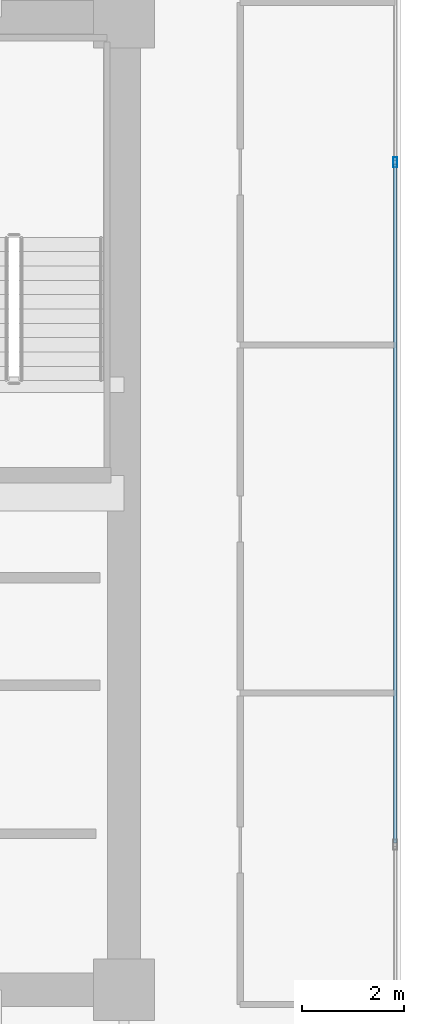
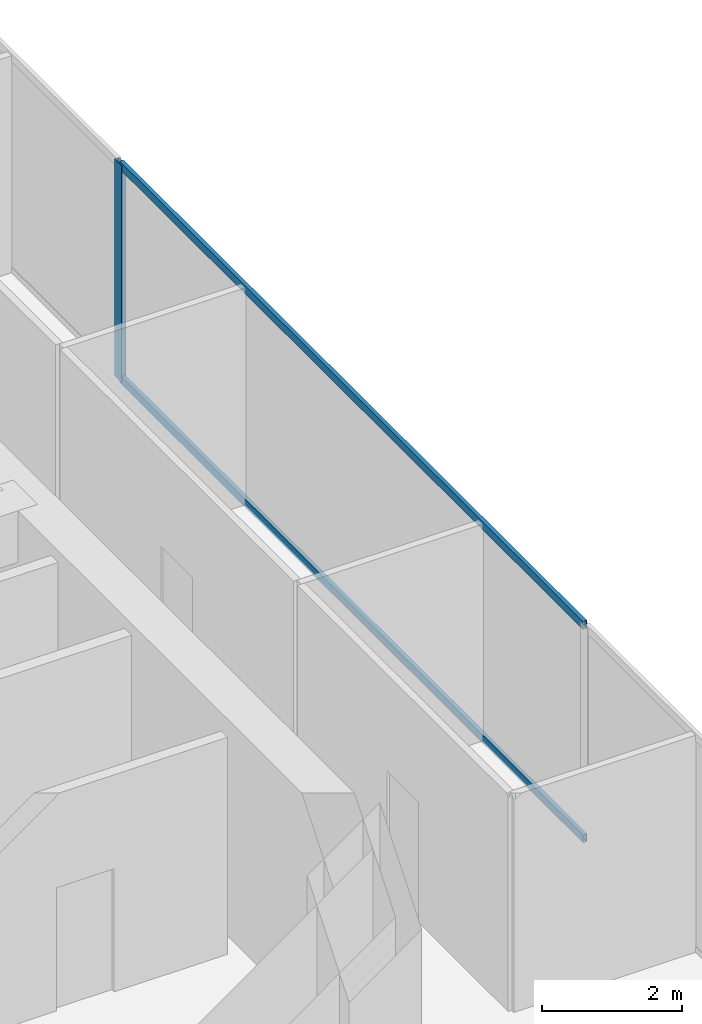
# One storey, part 22 of 30: 3 members, 1 element without a shape of its own.
"""IFC4 building model written with IfcOpenShell, lengths in metres."""

from ifc_helpers import new_model, si_unit, direction, frame, origin, origin_2d, place, context, subcontext, project, spatial, hollow_rectangle, extrude, source, transform, mapped, material, layer, layer_set, material_profile, profile_set, type_object, type_shapes, element, aggregate, save


model = new_model("IFC4")

# Units and contexts
model_context = context("Model", 3, precision=1e-05, world=origin(), true_north=direction((0.0, 1.0)))
body_context = subcontext(model_context, "Body", "Model", "MODEL_VIEW")
ifc_project = project(units=[si_unit("LENGTHUNIT", "METRE"), si_unit("AREAUNIT", "SQUARE_METRE"), si_unit("VOLUMEUNIT", "CUBIC_METRE"), si_unit("PLANEANGLEUNIT", "RADIAN"), si_unit("MASSUNIT", "GRAM", prefix="KILO")], contexts=[model_context])

# Site, building, storey
site_placement = place(None, origin())
site = spatial("IfcSite", under=ifc_project, at=site_placement, CompositionType="ELEMENT")
building_placement = place(site_placement, origin())
building = spatial("IfcBuilding", under=site, at=building_placement, Name="Haelvirn Gate Laboratories", CompositionType="ELEMENT")
storey_placement = place(building_placement, frame((0.0, 0.0, 121.5)))
storey = spatial("IfcBuildingStorey", under=building, at=storey_placement, Name="L29", CompositionType="ELEMENT", Elevation=121.5)

# Curtain wall, members
ifc_material_1 = material(Name="Anodised bronze unitised aluminium & triple low-E glass", Category="aluminium")
ifc_layer = layer(ifc_material_1, 0.179931640625, Name="CW-SYS-3")
ifc_layer_set = layer_set([ifc_layer], Name="Anodised bronze unitised aluminium & triple low-E glass")
curtain_wall_type = type_object("IfcCurtainWallType", Name="CW-SYS-3", PredefinedType="NOTDEFINED", material=ifc_layer_set)
curtain_wall_placement = place(storey_placement, origin())
curtain_wall = element("IfcCurtainWall", 1, at=curtain_wall_placement, inside=storey, type_object=curtain_wall_type, Name="L29 Unitised Curtain Wall CW-L29-P0-E07", PredefinedType="NOTDEFINED")
ifc_material_2 = material(Name="Extruded aluminium 6063-T6 (anodised bronze)", Category="aluminium")
ifc_material_profile_1 = material_profile(ifc_material_2, hollow_rectangle(XDim=0.06494140625, YDim=0.139892578125, WallThickness=0.00390625, at=origin_2d()), Name="CWT-140x65x4")
ifc_profile_set_1 = profile_set([ifc_material_profile_1], Name="Extruded aluminium 6063-T6 (anodised bronze)")
member_type_1 = type_object("IfcMemberType", Name="CWT-T140", PredefinedType="USERDEFINED", material=ifc_profile_set_1)
shared_shape_1 = source(origin(), body_context, "Body", "SweptSolid", [
    extrude(hollow_rectangle(XDim=0.06494140625, YDim=0.139892578125, WallThickness=0.00390625, at=origin_2d()), origin(), (0.0, 0.0, 1.0), 13.25830078125),
])
type_shapes(member_type_1, [shared_shape_1])
member_1_placement = place(storey_placement, frame((72.699951171875, 17.6708984375, 0.032470703125), z_axis=(0.0, 1.0, 0.0), x_axis=(-1.0, 0.0, 0.0)))
member_1 = element("IfcMember", 2, at=member_1_placement, type_object=member_type_1, Name="CW3 transom 2.1", ObjectType="TRANSOM", PredefinedType="USERDEFINED", context=body_context, shape_type="MappedRepresentation", body=[
    mapped(shared_shape_1, transform((0.0, 0.0, 0.0), scale=1.0)),
])
member_2_placement = place(storey_placement, frame((72.699951171875, 17.6708984375, 3.757568359375), z_axis=(0.0, 1.0, 0.0), x_axis=(-1.0, 0.0, 0.0)))
member_2 = element("IfcMember", 3, at=member_2_placement, type_object=member_type_1, Name="CW3 transom 2.2", ObjectType="TRANSOM", PredefinedType="USERDEFINED", context=body_context, shape_type="MappedRepresentation", body=[
    mapped(shared_shape_1, transform((0.0, 0.0, 0.0), scale=1.0)),
])
ifc_material_profile_2 = material_profile(ifc_material_2, hollow_rectangle(XDim=0.074951171875, YDim=0.199951171875, WallThickness=0.0048828125, at=origin_2d()), Name="CWM-200x75x5")
ifc_profile_set_2 = profile_set([ifc_material_profile_2], Name="Extruded aluminium 6063-T6 (anodised bronze)")
member_type_2 = type_object("IfcMemberType", Name="CWM-T200", PredefinedType="MULLION", material=ifc_profile_set_2)
shared_shape_2 = source(origin(), body_context, "Body", "SweptSolid", [
    extrude(hollow_rectangle(XDim=0.074951171875, YDim=0.199951171875, WallThickness=0.0048828125, at=origin_2d()), origin(), (0.0, 0.0, 1.0), 3.7900390625),
])
type_shapes(member_type_2, [shared_shape_2])
member_3_placement = place(storey_placement, frame((72.699951171875, 30.966552734375, 0.0), z_axis=(0.0, 0.0, 1.0), x_axis=(-1.0, 0.0, 0.0)))
member_3 = element("IfcMember", 4, at=member_3_placement, type_object=member_type_2, Name="CW3 mullion 3", PredefinedType="MULLION", context=body_context, shape_type="MappedRepresentation", body=[
    mapped(shared_shape_2, transform((0.0, 0.0, 0.0), scale=1.0)),
])
aggregate(curtain_wall, [member_3, member_1, member_2])

save(model, "model.ifc")
